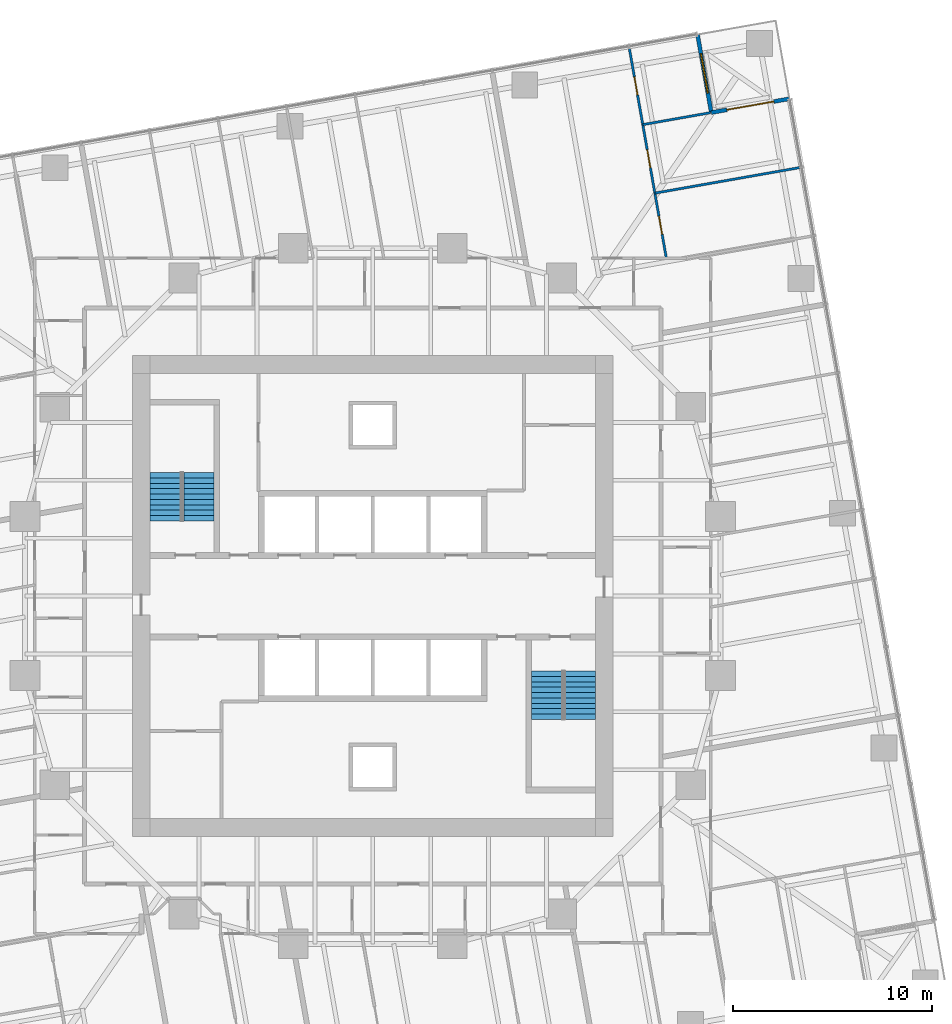
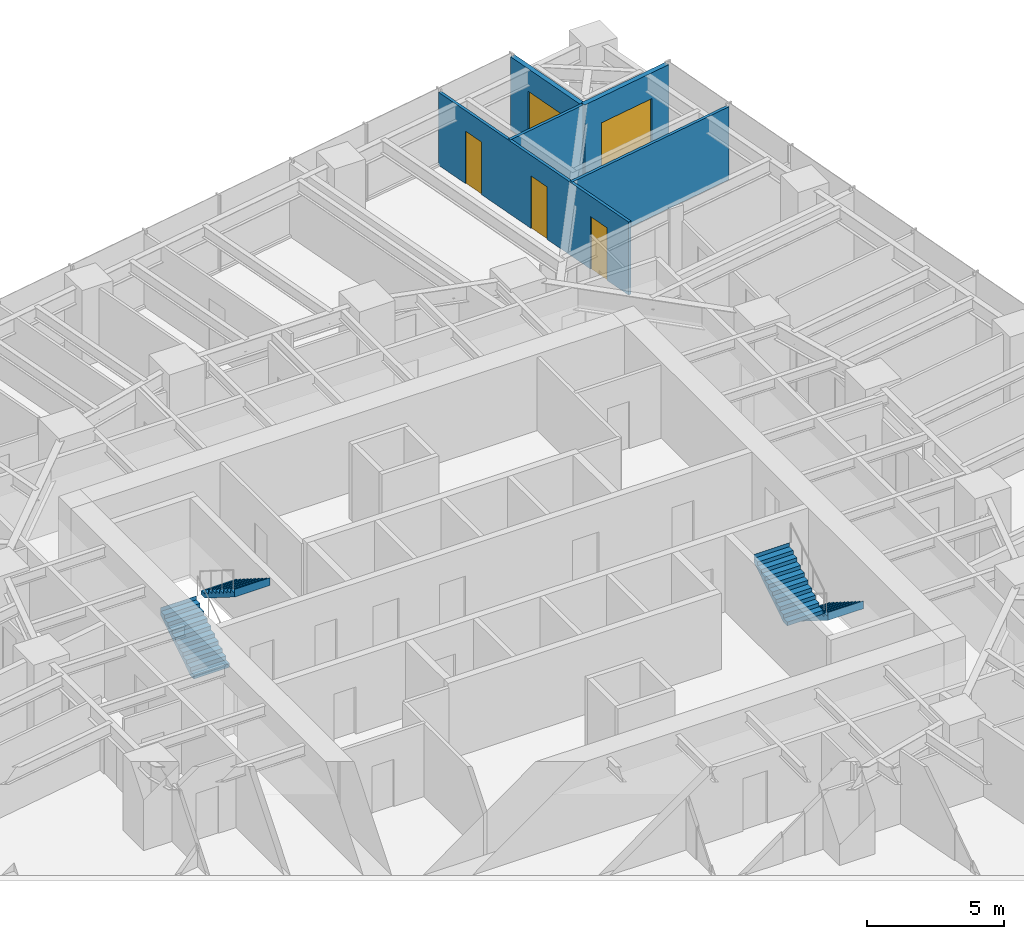
# One storey, part 13 of 14: 5 walls, 4 doors, 4 stair flights, 1 window, 5 openings, 2 elements without a shape of their own.
"""IFC4 building model written with IfcOpenShell, lengths in metres."""

import ifcopenshell
import ifcopenshell.guid

model = None  # the IFC model being written
_history = None  # IfcOwnerHistory: only IFC2X3 demands one
_inside = {}  # id of a spatial element -> (the spatial element, [elements in it])
_under = {}  # id of a project, library or spatial element -> (it, [spatial elements below it])
_declared = {}  # id of a project -> (the project, [libraries it declares])
_typed = {}  # id of a type object -> (the type object, [elements of that type])
_made_of = {}  # id of a material, layer set ... -> (it, [elements and type objects made of it])


def new_model(schema):
    """Start an empty IFC model of exactly this schema.

    Asked for "IFC4X3", IfcOpenShell would pick the latest addendum, in which some entities
    have other attributes; the version numbers below select the first issue.
    IFC2X3 requires an IfcOwnerHistory on every rooted entity: one is made here for all.
    """
    global model, _history
    if schema == "IFC4X3":
        model = ifcopenshell.file(schema_version=(4, 3, 0, 0))
    else:
        model = ifcopenshell.file(schema=schema)
    _inside.clear()
    _under.clear()
    _declared.clear()
    _typed.clear()
    _made_of.clear()
    _history = None
    if model.schema == "IFC2X3":
        org = make("IfcOrganization", Name="unknown")
        user = make(
            "IfcPersonAndOrganization",
            ThePerson=make("IfcPerson", FamilyName="unknown"),
            TheOrganization=org,
        )
        app = make(
            "IfcApplication",
            ApplicationDeveloper=org,
            Version="unknown",
            ApplicationFullName="unknown",
            ApplicationIdentifier="unknown",
        )
        _history = make(
            "IfcOwnerHistory",
            OwningUser=user,
            OwningApplication=app,
            ChangeAction="ADDED",
            CreationDate=0,
        )
    return model


def make(cls, **values):
    """One entity of the class cls with the attributes given. An attribute that is None is left unset."""
    return model.create_entity(
        cls, **{name: value for name, value in values.items() if value is not None}
    )


def rooted(cls, **values):
    """An entity with a GlobalId (a new one), such as an element, a storey or a relation."""
    return make(cls, GlobalId=ifcopenshell.guid.new(), OwnerHistory=_history, **values)


def si_unit(unit_type, name, prefix=None):
    """IfcSIUnit, for example si_unit("LENGTHUNIT", "METRE", prefix="MILLI")."""
    return make("IfcSIUnit", UnitType=unit_type, Prefix=prefix, Name=name)


def assignment(units):
    """IfcUnitAssignment: the units of a project."""
    return None if units is None else make("IfcUnitAssignment", Units=units)


def point(xyz):
    """IfcCartesianPoint."""
    return None if xyz is None else make("IfcCartesianPoint", Coordinates=xyz)


def direction(xyz):
    """IfcDirection."""
    return None if xyz is None else make("IfcDirection", DirectionRatios=xyz)


def frame(location, z_axis=None, x_axis=None):
    """IfcAxis2Placement3D, a coordinate frame: its origin and axes. An axis left out is left unset."""
    return make(
        "IfcAxis2Placement3D",
        Location=point(location),
        Axis=direction(z_axis),
        RefDirection=direction(x_axis),
    )


def frame_2d(location, x_axis=None):
    """IfcAxis2Placement2D, a coordinate frame in the plane: its origin and x axis."""
    return make(
        "IfcAxis2Placement2D", Location=point(location), RefDirection=direction(x_axis)
    )


def origin():
    """The frame at (0, 0, 0) with its axes left unset."""
    return frame((0.0, 0.0, 0.0))


def place(relative_to, where):
    """IfcLocalPlacement: puts the frame where relative to a parent placement (None: the world)."""
    return make(
        "IfcLocalPlacement", PlacementRelTo=relative_to, RelativePlacement=where
    )


def context(
    kind, dimensions, precision=None, world=None, true_north=None, identifier=None
):
    """IfcGeometricRepresentationContext, for example the 3D "Model" context."""
    return make(
        "IfcGeometricRepresentationContext",
        ContextIdentifier=identifier,
        ContextType=kind,
        CoordinateSpaceDimension=dimensions,
        Precision=precision,
        WorldCoordinateSystem=world,
        TrueNorth=true_north,
    )


def subcontext(parent, identifier, kind, view, scale=None):
    """IfcGeometricRepresentationSubContext, for example "Body" below "Model"."""
    return make(
        "IfcGeometricRepresentationSubContext",
        ContextIdentifier=identifier,
        ContextType=kind,
        ParentContext=parent,
        TargetScale=scale,
        TargetView=view,
    )


def project(units=None, contexts=None):
    """IfcProject with its units and contexts."""
    return rooted(
        "IfcProject",
        Name="project",
        RepresentationContexts=contexts,
        UnitsInContext=assignment(units),
    )


def spatial(cls, under=None, at=None, **own):
    """A site, building, storey or space (cls), placed at a placement, below another one or the project."""
    s = rooted(cls, ObjectPlacement=at, **own)
    if under is not None:
        _under.setdefault(under.id(), (under, []))[1].append(s)
    return s


def polyline(points):
    """IfcPolyline through the points."""
    return make("IfcPolyline", Points=[point(p) for p in points])


def profile(cls, at=None, kind="AREA", **sizes):
    """A parametric profile (cls). Its sizes go by their IFC names, for example OverallWidth=200.0."""
    return make(cls, ProfileType=kind, Position=at, **sizes)


def rectangle(**sizes):
    """IfcRectangleProfileDef."""
    return profile("IfcRectangleProfileDef", **sizes)


def outline(outer, holes=None, kind="AREA"):
    """IfcArbitraryClosedProfileDef: a profile drawn as a closed curve; with holes, ...WithVoids."""
    if holes is None:
        return make("IfcArbitraryClosedProfileDef", ProfileType=kind, OuterCurve=outer)
    return make(
        "IfcArbitraryProfileDefWithVoids",
        ProfileType=kind,
        OuterCurve=outer,
        InnerCurves=holes,
    )


def extrude(swept, where, along, depth):
    """IfcExtrudedAreaSolid: the profile swept, set in the frame where, extruded along a direction by depth."""
    return make(
        "IfcExtrudedAreaSolid",
        SweptArea=swept,
        Position=where,
        ExtrudedDirection=direction(along),
        Depth=depth,
    )


def shape(context_of_items, identifier, shape_type, items):
    """IfcShapeRepresentation: the items that make up one representation, for example the "Body"."""
    return make(
        "IfcShapeRepresentation",
        ContextOfItems=context_of_items,
        RepresentationIdentifier=identifier,
        RepresentationType=shape_type,
        Items=items,
    )


def material(Name=None, Category=None):
    """IfcMaterial."""
    return make("IfcMaterial", Name=Name, Category=Category)


def layer(
    of_material, thickness, ventilated=None, Name=None, Category=None, Priority=None
):
    """IfcMaterialLayer: one layer of a wall or slab, of a material (None: an air gap)."""
    return make(
        "IfcMaterialLayer",
        Material=of_material,
        LayerThickness=thickness,
        IsVentilated=ventilated,
        Name=Name,
        Category=Category,
        Priority=Priority,
    )


def layer_set(layers, Name=None):
    """IfcMaterialLayerSet."""
    return make("IfcMaterialLayerSet", MaterialLayers=layers, LayerSetName=Name)


def made_of(thing, what):
    """Note that an element or type object is made of a material, layer set ...; save() writes the relation."""
    if what is not None:
        _made_of.setdefault(what.id(), (what, []))[1].append(thing)
    return thing


def type_object(cls, material=None, **own):
    """A type object (cls), such as IfcWallType, which elements share."""
    return made_of(rooted(cls, **own), material)


def element(
    cls,
    number,
    at=None,
    inside=None,
    cuts=None,
    type_object=None,
    material=None,
    context=None,
    identifier="Body",
    shape_type=None,
    held_by="IfcProductDefinitionShape",
    body=None,
    shapes=None,
    **own,
):
    """One element of the class cls, such as IfcWall. Its Tag is "e" and its number.

    at: its placement. inside: the storey or other place that contains it. cuts: it is an
    opening in that element (IfcRelVoidsElement). A single representation is given by context,
    identifier, shape_type and body (its items); several are given by shapes. held_by: the class
    of the entity that holds the representations. save() writes the other relations.
    """
    e = rooted(cls, Tag="e%d" % number, ObjectPlacement=at, **own)
    if body is not None:
        shapes = [shape(context, identifier, shape_type, body)]
    if shapes is not None:
        e.Representation = make(held_by, Representations=shapes)
    if inside is not None:
        _inside.setdefault(inside.id(), (inside, []))[1].append(e)
    if cuts is not None:
        rooted(
            "IfcRelVoidsElement", RelatingBuildingElement=cuts, RelatedOpeningElement=e
        )
    if type_object is not None:
        _typed.setdefault(type_object.id(), (type_object, []))[1].append(e)
    return made_of(e, material)


def fill(opening, filler):
    """IfcRelFillsElement: the door or window that sits in an opening."""
    return rooted(
        "IfcRelFillsElement",
        RelatingOpeningElement=opening,
        RelatedBuildingElement=filler,
    )


def aggregate(whole, parts):
    """IfcRelAggregates: a whole, such as a stair, and the parts it consists of."""
    return rooted("IfcRelAggregates", RelatingObject=whole, RelatedObjects=parts)


def save(model, path):
    """Write the relations noted so far, then the file.

    IfcRelAggregates (storeys below a building ...), IfcRelContainedInSpatialStructure (elements
    in a storey), IfcRelDefinesByType, IfcRelAssociatesMaterial and IfcRelDeclares: one each for
    every whole, place, type object, material and project.
    """
    for whole, parts in _under.values():
        aggregate(whole, parts)
    for where, things in _inside.values():
        rooted(
            "IfcRelContainedInSpatialStructure",
            RelatedElements=things,
            RelatingStructure=where,
        )
    for kind, things in _typed.values():
        rooted("IfcRelDefinesByType", RelatedObjects=things, RelatingType=kind)
    for what, things in _made_of.values():
        rooted("IfcRelAssociatesMaterial", RelatedObjects=things, RelatingMaterial=what)
    for by, libraries in _declared.values():
        rooted("IfcRelDeclares", RelatingContext=by, RelatedDefinitions=libraries)
    model.write(path)


model = new_model("IFC4")

# Units and contexts
model_context = context("Model", 3, precision=1e-05, world=origin(), true_north=direction((0.0, 1.0)))
body_context = subcontext(model_context, "Body", "Model", "MODEL_VIEW")
ifc_project = project(units=[si_unit("LENGTHUNIT", "METRE"), si_unit("AREAUNIT", "SQUARE_METRE"), si_unit("VOLUMEUNIT", "CUBIC_METRE"), si_unit("PLANEANGLEUNIT", "RADIAN"), si_unit("MASSUNIT", "GRAM", prefix="KILO")], contexts=[model_context])

# Site, building, storey
site_placement = place(None, origin())
site = spatial("IfcSite", under=ifc_project, at=site_placement, CompositionType="ELEMENT")
building_placement = place(site_placement, origin())
building = spatial("IfcBuilding", under=site, at=building_placement, Name="Torsade Residences", CompositionType="ELEMENT")
storey_placement = place(building_placement, frame((0.0, 0.0, 86.199951171875)))
storey = spatial("IfcBuildingStorey", under=building, at=storey_placement, Name="L23", CompositionType="ELEMENT", Elevation=86.199951171875)

# Wall, openings, doors
ifc_material_1 = material(Name="Plasterboard on steel stud", Category="steel")
ifc_layer_1 = layer(ifc_material_1, 0.1201171875)
ifc_layer_set_1 = layer_set([ifc_layer_1], Name="Plasterboard on steel stud")
wall_type_1 = type_object("IfcWallType", Name="PARTITION 120", PredefinedType="PARTITIONING", material=ifc_layer_set_1)
wall_1_placement = place(storey_placement, frame((52.89990234375, 57.61962890625, 0.0), z_axis=(0.0, 0.0, 1.0), x_axis=(0.173651010046, -0.984807253583, 0.0)))
wall_1 = element("IfcWall", 1, at=wall_1_placement, inside=storey, type_object=wall_type_1, Name="Partition L23", PredefinedType="PARTITIONING", context=body_context, shape_type="SweptSolid", body=[
    extrude(rectangle(XDim=10.783447265625, YDim=0.1201171875, at=frame_2d((5.3916015625, 0.0))), origin(), (0.0, 0.0, 1.0), 3.25),
])
opening_1_placement = place(wall_1_placement, frame((1.525146484375, 0.0, 0.0)))
opening_1 = element("IfcOpeningElement", 2, at=opening_1_placement, cuts=wall_1, Name="Opening D02", PredefinedType="OPENING", context=body_context, shape_type="SweptSolid", body=[
    extrude(rectangle(XDim=0.919921875, YDim=2.340087890625, at=frame_2d((0.4599609375, 1.169921875))), frame((0.0, 0.070068359375, 0.0), z_axis=(0.0, -1.0, 0.0), x_axis=(1.0, 0.0, 0.0)), (0.0, 0.0, 1.0), 0.14013671875),
])
opening_2_placement = place(wall_1_placement, frame((5.25, 0.0, 0.0)))
opening_2 = element("IfcOpeningElement", 3, at=opening_2_placement, cuts=wall_1, Name="Opening D02", PredefinedType="OPENING", context=body_context, shape_type="SweptSolid", body=[
    extrude(rectangle(XDim=0.919921875, YDim=2.340087890625, at=frame_2d((0.4599609375, 1.169921875))), frame((0.0, 0.070068359375, 0.0), z_axis=(0.0, -1.0, 0.0), x_axis=(1.0, 0.0, 0.0)), (0.0, 0.0, 1.0), 0.14013671875),
])
opening_3_placement = place(wall_1_placement, frame((8.63671875, 0.0, 0.0)))
opening_3 = element("IfcOpeningElement", 4, at=opening_3_placement, cuts=wall_1, Name="Opening D02", PredefinedType="OPENING", context=body_context, shape_type="SweptSolid", body=[
    extrude(rectangle(XDim=0.919921875, YDim=2.340087890625, at=frame_2d((0.4599609375, 1.169921875))), frame((0.0, 0.070068359375, 0.0), z_axis=(0.0, -1.0, 0.0), x_axis=(1.0, 0.0, 0.0)), (0.0, 0.0, 1.0), 0.14013671875),
])
ifc_material_2 = material(Name="Hollow-core timber door", Category="wood")
door_type_1 = type_object("IfcDoorType", Name="INTERNAL DOOR 920x2340", OperationType="NOTDEFINED", PredefinedType="DOOR", material=ifc_material_2)
door_1_placement = place(opening_1_placement, origin())
door_1 = element("IfcDoor", 5, at=door_1_placement, inside=storey, type_object=door_type_1, Name="Door Living room to Family room", OperationType="SINGLE_SWING_RIGHT", OverallHeight=2.340087890625, OverallWidth=0.919921875, PredefinedType="DOOR", context=body_context, shape_type="SweptSolid", body=[
    extrude(rectangle(XDim=0.919921875, YDim=2.340087890625, at=frame_2d((0.4599609375, 1.169921875))), frame((0.0, 0.02490234375, 0.0), z_axis=(0.0, -1.0, 0.0), x_axis=(1.0, 0.0, 0.0)), (0.0, 0.0, 1.0), 0.050048828125),
])
fill(opening_1, door_1)
door_2_placement = place(opening_2_placement, origin())
door_2 = element("IfcDoor", 6, at=door_2_placement, inside=storey, type_object=door_type_1, Name="Door Living room to Bedroom 1", OperationType="SINGLE_SWING_RIGHT", OverallHeight=2.340087890625, OverallWidth=0.919921875, PredefinedType="DOOR", context=body_context, shape_type="SweptSolid", body=[
    extrude(rectangle(XDim=0.919921875, YDim=2.340087890625, at=frame_2d((0.4599609375, 1.169921875))), frame((0.0, 0.02490234375, 0.0), z_axis=(0.0, -1.0, 0.0), x_axis=(1.0, 0.0, 0.0)), (0.0, 0.0, 1.0), 0.050048828125),
])
fill(opening_2, door_2)
door_3_placement = place(opening_3_placement, origin())
door_3 = element("IfcDoor", 7, at=door_3_placement, inside=storey, type_object=door_type_1, Name="Door Living room to Bedroom 2", OperationType="SINGLE_SWING_LEFT", OverallHeight=2.340087890625, OverallWidth=0.919921875, PredefinedType="DOOR", context=body_context, shape_type="SweptSolid", body=[
    extrude(rectangle(XDim=0.919921875, YDim=2.340087890625, at=frame_2d((0.4599609375, 1.169921875))), frame((0.0, 0.02490234375, 0.0), z_axis=(0.0, -1.0, 0.0), x_axis=(1.0, 0.0, 0.0)), (0.0, 0.0, 1.0), 0.050048828125),
])
fill(opening_3, door_3)

# Walls
wall_2_placement = place(storey_placement, frame((61.5419921875, 51.568359375, 0.0), z_axis=(0.0, 0.0, 1.0), x_axis=(-0.984807929323, -0.173647177755, 0.0)))
element("IfcWall", 8, at=wall_2_placement, inside=storey, type_object=wall_type_1, Name="Partition L23", PredefinedType="PARTITIONING", context=body_context, shape_type="SweptSolid", body=[
    extrude(rectangle(XDim=7.4599609375, YDim=0.1201171875, at=frame_2d((3.72998046875, 0.0))), origin(), (0.0, 0.0, 1.0), 3.25),
])
wall_3_placement = place(storey_placement, frame((53.587646484375, 53.7197265625, 0.0), z_axis=(0.0, 0.0, 1.0), x_axis=(0.984805572884, 0.173660541335, 0.0)))
element("IfcWall", 9, at=wall_3_placement, inside=storey, type_object=wall_type_1, Name="Partition L23", PredefinedType="PARTITIONING", context=body_context, shape_type="SweptSolid", body=[
    extrude(rectangle(XDim=3.459716796875, YDim=0.1201171875, at=frame_2d((1.72998046875, 0.0))), origin(), (0.0, 0.0, 1.0), 3.25),
])

# Wall, opening, door
ifc_material_3 = material(Name="Stone-faced precast concrete 40 MPa panel", Category="masonry")
ifc_layer_2 = layer(ifc_material_3, 0.199951171875)
ifc_layer_set_2 = layer_set([ifc_layer_2], Name="Stone-faced precast concrete 40 MPa panel")
wall_type_2 = type_object("IfcWallType", Name="TERRACE WALL 200", PredefinedType="SOLIDWALL", material=ifc_layer_set_2)
wall_4_placement = place(storey_placement, frame((60.9736328125, 55.022216796875, 0.0), z_axis=(0.0, 0.0, 1.0), x_axis=(-0.984808127031, -0.173646056486, 0.0)))
wall_4 = element("IfcWall", 10, at=wall_4_placement, inside=storey, type_object=wall_type_2, Name="Terrace wall L23 5", PredefinedType="SOLIDWALL", context=body_context, shape_type="SweptSolid", body=[
    extrude(rectangle(XDim=4.0, YDim=0.199951171875, at=frame_2d((2.0, 0.0))), origin(), (0.0, 0.0, 1.0), 3.25),
])
opening_4_placement = place(wall_4_placement, frame((0.800048828125, 0.0, 0.0)))
opening_4 = element("IfcOpeningElement", 11, at=opening_4_placement, cuts=wall_4, Name="Opening D10A", PredefinedType="OPENING", context=body_context, shape_type="SweptSolid", body=[
    extrude(rectangle(XDim=2.39990234375, YDim=2.10009765625, at=frame_2d((1.199951171875, 1.050048828125))), frame((0.0, 0.10986328125, 0.0), z_axis=(0.0, -1.0, 0.0), x_axis=(1.0, 0.0, 0.0)), (0.0, 0.0, 1.0), 0.219970703125),
])
ifc_material_4 = material(Name="Aluminium-framed glass door", Category="aluminium")
door_type_2 = type_object("IfcDoorType", Name="TERRACE SLIDING DOOR 2400x2100", OperationType="SLIDING_TO_LEFT", PredefinedType="DOOR", material=ifc_material_4)
door_4_placement = place(opening_4_placement, origin())
door_4 = element("IfcDoor", 12, at=door_4_placement, inside=storey, type_object=door_type_2, Name="Terrace door L23 5", OperationType="SLIDING_TO_LEFT", OverallHeight=2.10009765625, OverallWidth=2.39990234375, PredefinedType="DOOR", context=body_context, shape_type="SweptSolid", body=[
    extrude(rectangle(XDim=2.39990234375, YDim=2.10009765625, at=frame_2d((1.199951171875, 1.050048828125))), frame((0.0, 0.02490234375, 0.0), z_axis=(0.0, -1.0, 0.0), x_axis=(1.0, 0.0, 0.0)), (0.0, 0.0, 1.0), 0.050048828125),
])
fill(opening_4, door_4)

# Wall, opening, window
wall_5_placement = place(storey_placement, frame((57.034423828125, 54.32763671875, 0.0), z_axis=(0.0, 0.0, 1.0), x_axis=(-0.173646056486, 0.984808127031, 0.0)))
wall_5 = element("IfcWall", 13, at=wall_5_placement, inside=storey, type_object=wall_type_2, Name="Terrace wall L23 6", PredefinedType="SOLIDWALL", context=body_context, shape_type="SweptSolid", body=[
    extrude(rectangle(XDim=4.0, YDim=0.199951171875, at=frame_2d((2.0, 0.0))), origin(), (0.0, 0.0, 1.0), 3.25),
])
opening_5_placement = place(wall_5_placement, frame((1.0, 0.0, 0.449951171875)))
opening_5 = element("IfcOpeningElement", 14, at=opening_5_placement, cuts=wall_5, Name="Opening W1B", PredefinedType="OPENING", context=body_context, shape_type="SweptSolid", body=[
    extrude(rectangle(XDim=2.0, YDim=1.800048828125, at=frame_2d((1.0, 0.89990234375))), frame((0.0, 0.10986328125, 0.0), z_axis=(0.0, -1.0, 0.0), x_axis=(1.0, 0.0, 0.0)), (0.0, 0.0, 1.0), 0.219970703125),
])
ifc_material_5 = material(Name="Aluminium-framed glass window", Category="aluminium")
window_type = type_object("IfcWindowType", Name="TERRACE WINDOW 2000x1800", PartitioningType="SINGLE_PANEL", PredefinedType="WINDOW", material=ifc_material_5)
window_placement = place(opening_5_placement, origin())
window = element("IfcWindow", 15, at=window_placement, inside=storey, type_object=window_type, Name="Terrace window L23 6", OverallHeight=1.800048828125, OverallWidth=2.0, PartitioningType="SINGLE_PANEL", PredefinedType="WINDOW", context=body_context, shape_type="SweptSolid", body=[
    extrude(rectangle(XDim=2.0, YDim=1.800048828125, at=frame_2d((1.0, 0.89990234375))), frame((0.0, 0.030029296875, 0.0), z_axis=(0.0, -1.0, 0.0), x_axis=(1.0, 0.0, 0.0)), (0.0, 0.0, 1.0), 0.06005859375),
])
fill(opening_5, window)

# Stair, stair flights
ifc_material_6 = material(Name="Precast concrete 40 MPa", Category="concrete")
stair_type = type_object("IfcStairType", Name="HALF-TURN FIRE STAIR 1500x3400", PredefinedType="HALF_TURN_STAIR", material=ifc_material_6)
stair_1_placement = place(storey_placement, origin())
stair_1 = element("IfcStair", 16, at=stair_1_placement, inside=storey, type_object=stair_type, Name="Stair ST1 L23", PredefinedType="HALF_TURN_STAIR")
ifc_material_7 = material(Name="Precast concrete 40 MPa", Category="concrete")
stair_flight_type = type_object("IfcStairFlightType", Name="PRECAST STAIR FLIGHT 1500x1700", PredefinedType="STRAIGHT", material=ifc_material_7)
stair_flight_1_placement = place(storey_placement, frame((29.550048828125, 33.780029296875, 0.0), z_axis=(0.0, 0.0, 1.0), x_axis=(0.0, 1.0, 0.0)))
stair_flight_1 = element("IfcStairFlight", 17, at=stair_flight_1_placement, type_object=stair_flight_type, Name="ST1 flight 1", NumberOfRisers=10, NumberOfTreads=9, PredefinedType="STRAIGHT", RiserHeight=0.17, TreadLength=0.27, context=body_context, shape_type="SweptSolid", body=[
    extrude(outline(polyline([(0.0, 0.0), (0.0, 0.169921875), (0.27001953125, 0.169921875), (0.27001953125, 0.340087890625), (0.5400390625, 0.340087890625), (0.5400390625, 0.510009765625), (0.81005859375, 0.510009765625), (0.81005859375, 0.679931640625), (1.080078125, 0.679931640625), (1.080078125, 0.85009765625), (1.35009765625, 0.85009765625), (1.35009765625, 1.02001953125), (1.6201171875, 1.02001953125), (1.6201171875, 1.18994140625), (1.889892578125, 1.18994140625), (1.889892578125, 1.360107421875), (2.159912109375, 1.360107421875), (2.159912109375, 1.530029296875), (2.429931640625, 1.530029296875), (2.429931640625, 1.699951171875), (2.43994140625, 1.699951171875), (2.43994140625, 1.352783203125), (2.429931640625, 1.352783203125), (0.28125, 0.0), (0.0, 0.0)])), frame((0.0, 0.75, 0.0), z_axis=(0.0, -1.0, 0.0), x_axis=(1.0, 0.0, 0.0)), (0.0, 0.0, 1.0), 1.5),
])
stair_flight_2_placement = place(storey_placement, frame((31.25, 36.2099609375, 1.699951171875), z_axis=(0.0, 0.0, 1.0), x_axis=(0.0, -1.0, 0.0)))
stair_flight_2 = element("IfcStairFlight", 18, at=stair_flight_2_placement, type_object=stair_flight_type, Name="ST1 flight 2", NumberOfRisers=10, NumberOfTreads=9, PredefinedType="STRAIGHT", RiserHeight=0.17, TreadLength=0.27, context=body_context, shape_type="SweptSolid", body=[
    extrude(outline(polyline([(0.0, 0.0), (0.0, 0.169921875), (0.27001953125, 0.169921875), (0.27001953125, 0.340087890625), (0.5400390625, 0.340087890625), (0.5400390625, 0.510009765625), (0.81005859375, 0.510009765625), (0.81005859375, 0.679931640625), (1.080078125, 0.679931640625), (1.080078125, 0.85009765625), (1.35009765625, 0.85009765625), (1.35009765625, 1.02001953125), (1.6201171875, 1.02001953125), (1.6201171875, 1.18994140625), (1.889892578125, 1.18994140625), (1.889892578125, 1.360107421875), (2.159912109375, 1.360107421875), (2.159912109375, 1.530029296875), (2.429931640625, 1.530029296875), (2.429931640625, 1.699951171875), (2.43994140625, 1.699951171875), (2.43994140625, 1.352783203125), (2.429931640625, 1.352783203125), (0.28125, 0.0), (0.0, 0.0)])), frame((0.0, 0.75, 0.0), z_axis=(0.0, -1.0, 0.0), x_axis=(1.0, 0.0, 0.0)), (0.0, 0.0, 1.0), 1.5),
])
aggregate(stair_1, [stair_flight_1, stair_flight_2])

stair_2_placement = place(storey_placement, origin())
stair_2 = element("IfcStair", 19, at=stair_2_placement, inside=storey, type_object=stair_type, Name="Stair ST2 L23", PredefinedType="HALF_TURN_STAIR")
stair_flight_3_placement = place(storey_placement, frame((50.449951171875, 26.219970703125, 0.0), z_axis=(0.0, 0.0, 1.0), x_axis=(0.0, -1.0, 0.0)))
stair_flight_3 = element("IfcStairFlight", 20, at=stair_flight_3_placement, type_object=stair_flight_type, Name="ST2 flight 1", NumberOfRisers=10, NumberOfTreads=9, PredefinedType="STRAIGHT", RiserHeight=0.17, TreadLength=0.27, context=body_context, shape_type="SweptSolid", body=[
    extrude(outline(polyline([(0.0, 0.0), (0.0, 0.169921875), (0.27001953125, 0.169921875), (0.27001953125, 0.340087890625), (0.5400390625, 0.340087890625), (0.5400390625, 0.510009765625), (0.81005859375, 0.510009765625), (0.81005859375, 0.679931640625), (1.080078125, 0.679931640625), (1.080078125, 0.85009765625), (1.35009765625, 0.85009765625), (1.35009765625, 1.02001953125), (1.6201171875, 1.02001953125), (1.6201171875, 1.18994140625), (1.889892578125, 1.18994140625), (1.889892578125, 1.360107421875), (2.159912109375, 1.360107421875), (2.159912109375, 1.530029296875), (2.429931640625, 1.530029296875), (2.429931640625, 1.699951171875), (2.43994140625, 1.699951171875), (2.43994140625, 1.352783203125), (2.429931640625, 1.352783203125), (0.28125, 0.0), (0.0, 0.0)])), frame((0.0, 0.75, 0.0), z_axis=(0.0, -1.0, 0.0), x_axis=(1.0, 0.0, 0.0)), (0.0, 0.0, 1.0), 1.5),
])
stair_flight_4_placement = place(storey_placement, frame((48.75, 23.7900390625, 1.699951171875), z_axis=(0.0, 0.0, 1.0), x_axis=(0.0, 1.0, 0.0)))
stair_flight_4 = element("IfcStairFlight", 21, at=stair_flight_4_placement, type_object=stair_flight_type, Name="ST2 flight 2", NumberOfRisers=10, NumberOfTreads=9, PredefinedType="STRAIGHT", RiserHeight=0.17, TreadLength=0.27, context=body_context, shape_type="SweptSolid", body=[
    extrude(outline(polyline([(0.0, 0.0), (0.0, 0.169921875), (0.27001953125, 0.169921875), (0.27001953125, 0.340087890625), (0.5400390625, 0.340087890625), (0.5400390625, 0.510009765625), (0.81005859375, 0.510009765625), (0.81005859375, 0.679931640625), (1.080078125, 0.679931640625), (1.080078125, 0.85009765625), (1.35009765625, 0.85009765625), (1.35009765625, 1.02001953125), (1.6201171875, 1.02001953125), (1.6201171875, 1.18994140625), (1.889892578125, 1.18994140625), (1.889892578125, 1.360107421875), (2.159912109375, 1.360107421875), (2.159912109375, 1.530029296875), (2.429931640625, 1.530029296875), (2.429931640625, 1.699951171875), (2.43994140625, 1.699951171875), (2.43994140625, 1.352783203125), (2.429931640625, 1.352783203125), (0.28125, 0.0), (0.0, 0.0)])), frame((0.0, 0.75, 0.0), z_axis=(0.0, -1.0, 0.0), x_axis=(1.0, 0.0, 0.0)), (0.0, 0.0, 1.0), 1.5),
])
aggregate(stair_2, [stair_flight_3, stair_flight_4])

save(model, "model.ifc")
